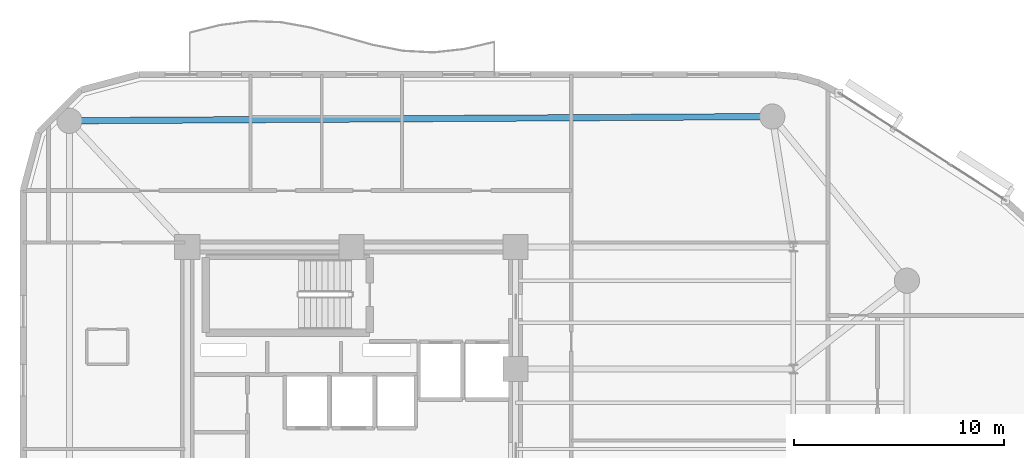
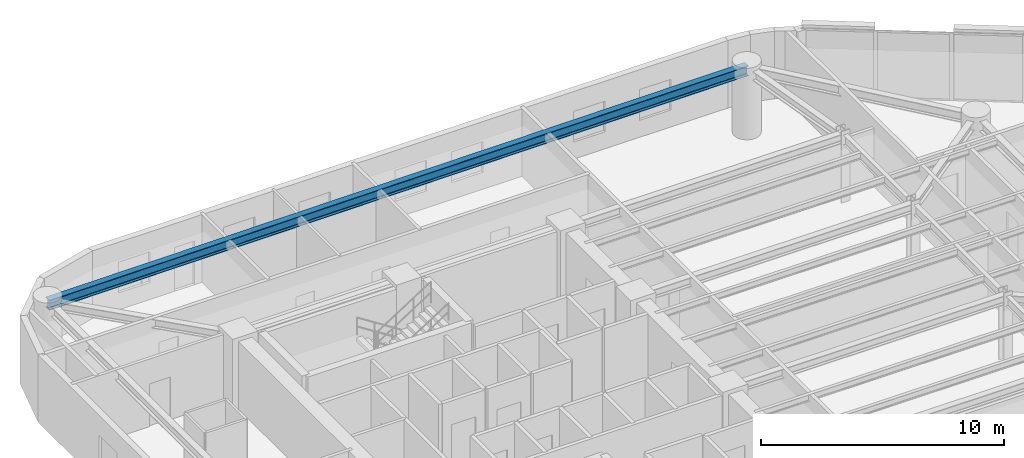
# One storey, part 8 of 16: 1 beam.
"""IFC4 building model written with IfcOpenShell, lengths in metres."""

from ifc_helpers import new_model, si_unit, direction, frame, origin, origin_2d, place, context, subcontext, project, spatial, i_section, extrude, material, material_profile, profile_set, type_object, element, save


model = new_model("IFC4")

# Units and contexts
model_context = context("Model", 3, precision=1e-05, world=origin(), true_north=direction((0.0, 1.0)))
body_context = subcontext(model_context, "Body", "Model", "MODEL_VIEW")
ifc_project = project(units=[si_unit("LENGTHUNIT", "METRE"), si_unit("AREAUNIT", "SQUARE_METRE"), si_unit("VOLUMEUNIT", "CUBIC_METRE"), si_unit("PLANEANGLEUNIT", "RADIAN"), si_unit("MASSUNIT", "GRAM", prefix="KILO")], contexts=[model_context])

# Site, building, storey
site_placement = place(None, origin())
site = spatial("IfcSite", under=ifc_project, at=site_placement, CompositionType="ELEMENT")
building_placement = place(site_placement, origin())
building = spatial("IfcBuilding", under=site, at=building_placement, Name="An Khanh Terracotta Commons", CompositionType="ELEMENT")
storey_placement = place(building_placement, frame((0.0, 0.0, 172.60009765625)))
storey = spatial("IfcBuildingStorey", under=building, at=storey_placement, Name="L45", CompositionType="ELEMENT", Elevation=172.60009765625)

# Beam
ifc_material = material(Name="Steel S355J2", Category="steel")
ifc_material_profile = material_profile(ifc_material, i_section(OverallWidth=0.300048828125, OverallDepth=0.5, WebThickness=0.014404296875, FlangeThickness=0.028076171875, FilletRadius=0.027099609375, at=origin_2d()), Name="HEB500")
ifc_profile_set = profile_set([ifc_material_profile], Name="Steel S355J2")
beam_type = type_object("IfcBeamType", Name="BM-HEB500", PredefinedType="BEAM", material=ifc_profile_set)
beam_placement = place(storey_placement, frame((49.39990234375, 39.800048828125, 3.14990234375), z_axis=(-0.999982080914, -0.005986472262, 0.0), x_axis=(0.005986472262, -0.999982080914, 0.0)))
element("IfcBeam", 1, at=beam_placement, inside=storey, type_object=beam_type, Name="L45 Perimeter Ring Spandrel 5", PredefinedType="BEAM", context=body_context, shape_type="SweptSolid", body=[
    extrude(i_section(OverallWidth=0.300048828125, OverallDepth=0.5, WebThickness=0.014404296875, FlangeThickness=0.028076171875, FilletRadius=0.027099609375, at=origin_2d()), origin(), (0.0, 0.0, 1.0), 33.400390625),
])

save(model, "model.ifc")
